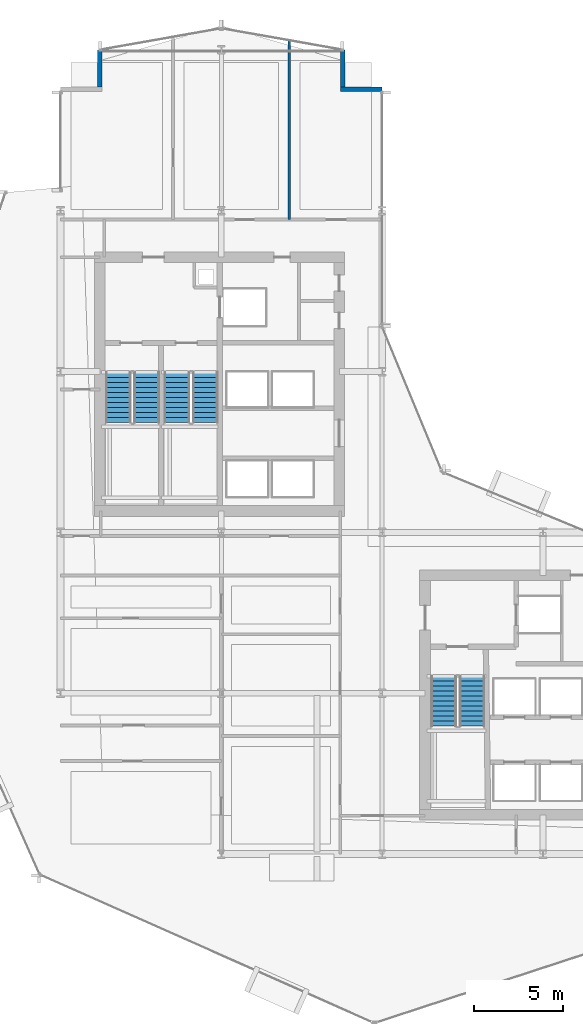
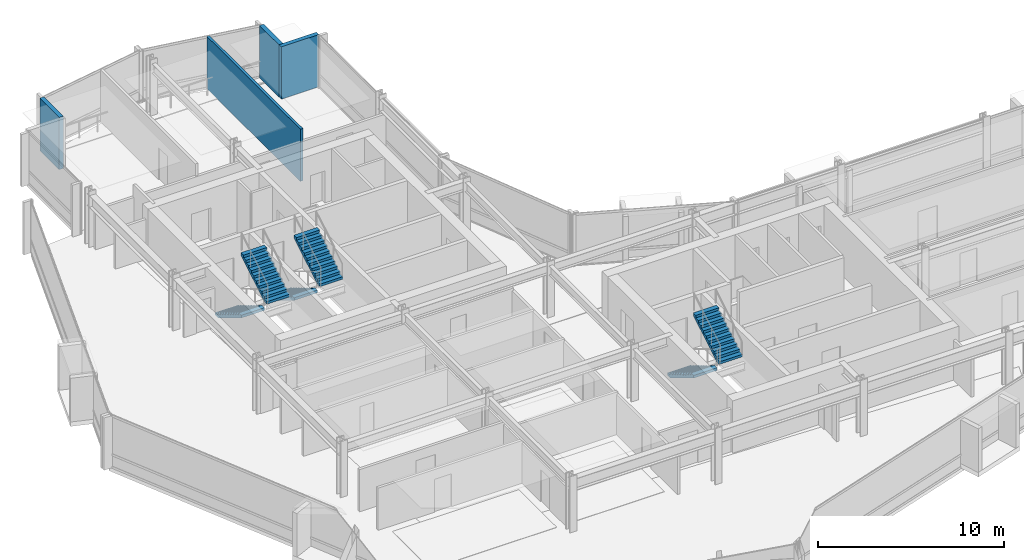
# One storey, part 29 of 34: 6 stair flights, 4 walls, 3 elements without a shape of their own.
"""IFC4 building model written with IfcOpenShell, lengths in metres."""

from ifc_helpers import new_model, si_unit, direction, frame, frame_2d, origin, place, context, subcontext, project, spatial, polyline, rectangle, outline, extrude, material, layer, layer_set, type_object, element, aggregate, save


model = new_model("IFC4")

# Units and contexts
model_context = context("Model", 3, precision=1e-05, world=origin(), true_north=direction((0.0, 1.0)))
body_context = subcontext(model_context, "Body", "Model", "MODEL_VIEW")
ifc_project = project(units=[si_unit("LENGTHUNIT", "METRE"), si_unit("AREAUNIT", "SQUARE_METRE"), si_unit("VOLUMEUNIT", "CUBIC_METRE"), si_unit("PLANEANGLEUNIT", "RADIAN"), si_unit("MASSUNIT", "GRAM", prefix="KILO")], contexts=[model_context])

# Site, building, storey
site_placement = place(None, origin())
site = spatial("IfcSite", under=ifc_project, at=site_placement, CompositionType="ELEMENT")
building_placement = place(site_placement, origin())
building = spatial("IfcBuilding", under=site, at=building_placement, Name="Solvaryn Broadcast Tower", CompositionType="ELEMENT")
storey_placement = place(building_placement, frame((0.0, 0.0, 92.800048828125)))
storey = spatial("IfcBuildingStorey", under=building, at=storey_placement, Name="L22", CompositionType="ELEMENT", Elevation=92.800048828125)

# Walls
ifc_material_1 = material(Name="Concrete f'c 50 MPa", Category="concrete")
ifc_layer_1 = layer(ifc_material_1, 0.260009765625)
ifc_layer_set_1 = layer_set([ifc_layer_1], Name="EW-PIER-260")
wall_type_1 = type_object("IfcWallType", Name="EW-PIER-260", PredefinedType="SOLIDWALL", material=ifc_layer_set_1)
for number, where, z_axis, x_axis, name in (
    (1, (11.199951171875, 51.919921875, 0.0), (0.0, 0.0, 1.0), (0.0, 1.0, 0.0), "L22 Notched Corner Pier Wall NNW2"),
    (2, (24.800048828125, 54.0, 0.0), (0.0, 0.0, 1.0), (0.0, -1.0, 0.0), "L22 Notched Corner Pier Wall NNE1"),
):
    element("IfcWall", number, at=place(storey_placement, frame(where, z_axis=z_axis, x_axis=x_axis)), inside=storey, type_object=wall_type_1, Name=name, PredefinedType="SOLIDWALL", context=body_context, shape_type="SweptSolid", body=[
        extrude(rectangle(XDim=2.080078125, YDim=0.260009765625, at=frame_2d((1.0400390625, 0.0))), origin(), (0.0, 0.0, 1.0), 3.419921875),
    ])
wall_1_placement = place(storey_placement, frame((24.679931640625, 51.800048828125, 0.0), z_axis=(0.0, 0.0, 1.0), x_axis=(1.0, 0.0, 0.0)))
element("IfcWall", 3, at=wall_1_placement, inside=storey, type_object=wall_type_1, Name="L22 Notched Corner Pier Wall NNE2", PredefinedType="SOLIDWALL", context=body_context, shape_type="SweptSolid", body=[
    extrude(rectangle(XDim=2.320068359375, YDim=0.260009765625, at=frame_2d((1.16015625, 0.0))), origin(), (0.0, 0.0, 1.0), 3.419921875),
])
ifc_material_2 = material(Name="Metal-Stud Gypsum Office Partition")
ifc_layer_2 = layer(ifc_material_2, 0.159912109375)
ifc_layer_set_2 = layer_set([ifc_layer_2], Name="IW-PART-160")
wall_type_2 = type_object("IfcWallType", Name="IW-PART-160", PredefinedType="PARTITIONING", material=ifc_layer_set_2)
wall_2_placement = place(storey_placement, frame((21.800048828125, 44.5, 0.0), z_axis=(0.0, 0.0, 1.0), x_axis=(0.0, 1.0, 0.0)))
element("IfcWall", 4, at=wall_2_placement, inside=storey, type_object=wall_type_2, Name="L22 Interior Partition IW-L22-NW-V2", PredefinedType="PARTITIONING", context=body_context, shape_type="SweptSolid", body=[
    extrude(rectangle(XDim=10.029052734375, YDim=0.159912109375, at=frame_2d((5.0146484375, 0.0))), origin(), (0.0, 0.0, 1.0), 3.419921875),
])

# Stair, stair flights
ifc_material_3 = material(Name="Concrete f'c 60 MPa", Category="concrete")
stair_type = type_object("IfcStairType", Name="ST-CORE", PredefinedType="HALF_TURN_STAIR", material=ifc_material_3)
stair_1_placement = place(storey_placement, origin())
stair_1 = element("IfcStair", 5, at=stair_1_placement, inside=storey, type_object=stair_type, Name="L22 ST1", PredefinedType="HALF_TURN_STAIR")
ifc_material_4 = material(Name="Concrete f'c 60 MPa", Category="concrete")
ifc_layer_3 = layer(ifc_material_4, 0.159912109375)
ifc_layer_set_3 = layer_set([ifc_layer_3], Name="SF-CORE")
stair_flight_type = type_object("IfcStairFlightType", Name="SF-CORE", PredefinedType="STRAIGHT", material=ifc_layer_set_3)
stair_flight_1_placement = place(storey_placement, frame((12.239990234375, 35.9599609375, 0.0), z_axis=(0.0, 0.0, 1.0), x_axis=(0.0, -1.0, 0.0)))
stair_flight_1 = element("IfcStairFlight", 6, at=stair_flight_1_placement, type_object=stair_flight_type, Name="ST1 flight 1", NumberOfRisers=11, NumberOfTreads=10, PredefinedType="STRAIGHT", RiserHeight=0.168181818, TreadLength=0.28, context=body_context, shape_type="SweptSolid", body=[
    extrude(outline(polyline([(0.0, 0.0), (0.0, 0.168212890625), (0.280029296875, 0.168212890625), (0.280029296875, 0.33642578125), (0.56005859375, 0.33642578125), (0.56005859375, 0.504638671875), (0.840087890625, 0.504638671875), (0.840087890625, 0.672607421875), (1.1201171875, 0.672607421875), (1.1201171875, 0.8408203125), (1.39990234375, 0.8408203125), (1.39990234375, 1.009033203125), (1.679931640625, 1.009033203125), (1.679931640625, 1.17724609375), (1.9599609375, 1.17724609375), (1.9599609375, 1.345458984375), (2.239990234375, 1.345458984375), (2.239990234375, 1.513671875), (2.52001953125, 1.513671875), (2.52001953125, 1.681884765625), (2.800048828125, 1.681884765625), (2.800048828125, 1.85009765625), (2.800048828125, 1.5068359375), (0.291015625, 0.0), (0.0, 0.0)])), frame((0.0, 0.719970703125, 0.0), z_axis=(0.0, -1.0, 0.0), x_axis=(1.0, 0.0, 0.0)), (0.0, 0.0, 1.0), 1.43994140625),
])
stair_flight_2_placement = place(storey_placement, frame((13.830078125, 33.159912109375, 1.849853515625), z_axis=(0.0, 0.0, 1.0), x_axis=(0.0, 1.0, 0.0)))
stair_flight_2 = element("IfcStairFlight", 7, at=stair_flight_2_placement, type_object=stair_flight_type, Name="ST1 flight 2", NumberOfRisers=11, NumberOfTreads=10, PredefinedType="STRAIGHT", RiserHeight=0.168181818, TreadLength=0.28, context=body_context, shape_type="SweptSolid", body=[
    extrude(outline(polyline([(0.0, 0.0), (0.0, 0.168212890625), (0.280029296875, 0.168212890625), (0.280029296875, 0.33642578125), (0.56005859375, 0.33642578125), (0.56005859375, 0.504638671875), (0.840087890625, 0.504638671875), (0.840087890625, 0.672607421875), (1.1201171875, 0.672607421875), (1.1201171875, 0.8408203125), (1.39990234375, 0.8408203125), (1.39990234375, 1.009033203125), (1.679931640625, 1.009033203125), (1.679931640625, 1.17724609375), (1.9599609375, 1.17724609375), (1.9599609375, 1.345458984375), (2.239990234375, 1.345458984375), (2.239990234375, 1.513671875), (2.52001953125, 1.513671875), (2.52001953125, 1.681884765625), (2.800048828125, 1.681884765625), (2.800048828125, 1.85009765625), (2.800048828125, 1.5068359375), (0.291015625, 0.0), (0.0, 0.0)])), frame((0.0, 0.719970703125, 0.0), z_axis=(0.0, -1.0, 0.0), x_axis=(1.0, 0.0, 0.0)), (0.0, 0.0, 1.0), 1.43994140625),
])
aggregate(stair_1, [stair_flight_1, stair_flight_2])

stair_2_placement = place(storey_placement, origin())
stair_2 = element("IfcStair", 8, at=stair_2_placement, inside=storey, type_object=stair_type, Name="L22 ST2", PredefinedType="HALF_TURN_STAIR")
stair_flight_3_placement = place(storey_placement, frame((15.52001953125, 35.9599609375, 0.0), z_axis=(0.0, 0.0, 1.0), x_axis=(0.0, -1.0, 0.0)))
stair_flight_3 = element("IfcStairFlight", 9, at=stair_flight_3_placement, type_object=stair_flight_type, Name="ST2 flight 1", NumberOfRisers=11, NumberOfTreads=10, PredefinedType="STRAIGHT", RiserHeight=0.168181818, TreadLength=0.28, context=body_context, shape_type="SweptSolid", body=[
    extrude(outline(polyline([(0.0, 0.0), (0.0, 0.168212890625), (0.280029296875, 0.168212890625), (0.280029296875, 0.33642578125), (0.56005859375, 0.33642578125), (0.56005859375, 0.504638671875), (0.840087890625, 0.504638671875), (0.840087890625, 0.672607421875), (1.1201171875, 0.672607421875), (1.1201171875, 0.8408203125), (1.39990234375, 0.8408203125), (1.39990234375, 1.009033203125), (1.679931640625, 1.009033203125), (1.679931640625, 1.17724609375), (1.9599609375, 1.17724609375), (1.9599609375, 1.345458984375), (2.239990234375, 1.345458984375), (2.239990234375, 1.513671875), (2.52001953125, 1.513671875), (2.52001953125, 1.681884765625), (2.800048828125, 1.681884765625), (2.800048828125, 1.85009765625), (2.800048828125, 1.5068359375), (0.291015625, 0.0), (0.0, 0.0)])), frame((0.0, 0.719970703125, 0.0), z_axis=(0.0, -1.0, 0.0), x_axis=(1.0, 0.0, 0.0)), (0.0, 0.0, 1.0), 1.43994140625),
])
stair_flight_4_placement = place(storey_placement, frame((17.110107421875, 33.159912109375, 1.849853515625), z_axis=(0.0, 0.0, 1.0), x_axis=(0.0, 1.0, 0.0)))
stair_flight_4 = element("IfcStairFlight", 10, at=stair_flight_4_placement, type_object=stair_flight_type, Name="ST2 flight 2", NumberOfRisers=11, NumberOfTreads=10, PredefinedType="STRAIGHT", RiserHeight=0.168181818, TreadLength=0.28, context=body_context, shape_type="SweptSolid", body=[
    extrude(outline(polyline([(0.0, 0.0), (0.0, 0.168212890625), (0.280029296875, 0.168212890625), (0.280029296875, 0.33642578125), (0.56005859375, 0.33642578125), (0.56005859375, 0.504638671875), (0.840087890625, 0.504638671875), (0.840087890625, 0.672607421875), (1.1201171875, 0.672607421875), (1.1201171875, 0.8408203125), (1.39990234375, 0.8408203125), (1.39990234375, 1.009033203125), (1.679931640625, 1.009033203125), (1.679931640625, 1.17724609375), (1.9599609375, 1.17724609375), (1.9599609375, 1.345458984375), (2.239990234375, 1.345458984375), (2.239990234375, 1.513671875), (2.52001953125, 1.513671875), (2.52001953125, 1.681884765625), (2.800048828125, 1.681884765625), (2.800048828125, 1.85009765625), (2.800048828125, 1.5068359375), (0.291015625, 0.0), (0.0, 0.0)])), frame((0.0, 0.719970703125, 0.0), z_axis=(0.0, -1.0, 0.0), x_axis=(1.0, 0.0, 0.0)), (0.0, 0.0, 1.0), 1.43994140625),
])
aggregate(stair_2, [stair_flight_3, stair_flight_4])

stair_3_placement = place(storey_placement, origin())
stair_3 = element("IfcStair", 11, at=stair_3_placement, inside=storey, type_object=stair_type, Name="L22 ST3", PredefinedType="HALF_TURN_STAIR")
stair_flight_5_placement = place(storey_placement, frame((30.43994140625, 18.9599609375, 0.0), z_axis=(0.0, 0.0, 1.0), x_axis=(0.0, -1.0, 0.0)))
stair_flight_5 = element("IfcStairFlight", 12, at=stair_flight_5_placement, type_object=stair_flight_type, Name="ST3 flight 1", NumberOfRisers=11, NumberOfTreads=10, PredefinedType="STRAIGHT", RiserHeight=0.168181818, TreadLength=0.28, context=body_context, shape_type="SweptSolid", body=[
    extrude(outline(polyline([(0.0, 0.0), (0.0, 0.168212890625), (0.280029296875, 0.168212890625), (0.280029296875, 0.33642578125), (0.56005859375, 0.33642578125), (0.56005859375, 0.504638671875), (0.840087890625, 0.504638671875), (0.840087890625, 0.672607421875), (1.1201171875, 0.672607421875), (1.1201171875, 0.8408203125), (1.39990234375, 0.8408203125), (1.39990234375, 1.009033203125), (1.679931640625, 1.009033203125), (1.679931640625, 1.17724609375), (1.9599609375, 1.17724609375), (1.9599609375, 1.345458984375), (2.239990234375, 1.345458984375), (2.239990234375, 1.513671875), (2.52001953125, 1.513671875), (2.52001953125, 1.681884765625), (2.800048828125, 1.681884765625), (2.800048828125, 1.85009765625), (2.800048828125, 1.5068359375), (0.291015625, 0.0), (0.0, 0.0)])), frame((0.0, 0.719970703125, 0.0), z_axis=(0.0, -1.0, 0.0), x_axis=(1.0, 0.0, 0.0)), (0.0, 0.0, 1.0), 1.43994140625),
])
stair_flight_6_placement = place(storey_placement, frame((32.030029296875, 16.159912109375, 1.849853515625), z_axis=(0.0, 0.0, 1.0), x_axis=(0.0, 1.0, 0.0)))
stair_flight_6 = element("IfcStairFlight", 13, at=stair_flight_6_placement, type_object=stair_flight_type, Name="ST3 flight 2", NumberOfRisers=11, NumberOfTreads=10, PredefinedType="STRAIGHT", RiserHeight=0.168181818, TreadLength=0.28, context=body_context, shape_type="SweptSolid", body=[
    extrude(outline(polyline([(0.0, 0.0), (0.0, 0.168212890625), (0.280029296875, 0.168212890625), (0.280029296875, 0.33642578125), (0.56005859375, 0.33642578125), (0.56005859375, 0.504638671875), (0.840087890625, 0.504638671875), (0.840087890625, 0.672607421875), (1.1201171875, 0.672607421875), (1.1201171875, 0.8408203125), (1.39990234375, 0.8408203125), (1.39990234375, 1.009033203125), (1.679931640625, 1.009033203125), (1.679931640625, 1.17724609375), (1.9599609375, 1.17724609375), (1.9599609375, 1.345458984375), (2.239990234375, 1.345458984375), (2.239990234375, 1.513671875), (2.52001953125, 1.513671875), (2.52001953125, 1.681884765625), (2.800048828125, 1.681884765625), (2.800048828125, 1.85009765625), (2.800048828125, 1.5068359375), (0.291015625, 0.0), (0.0, 0.0)])), frame((0.0, 0.719970703125, 0.0), z_axis=(0.0, -1.0, 0.0), x_axis=(1.0, 0.0, 0.0)), (0.0, 0.0, 1.0), 1.43994140625),
])
aggregate(stair_3, [stair_flight_5, stair_flight_6])

save(model, "model.ifc")
